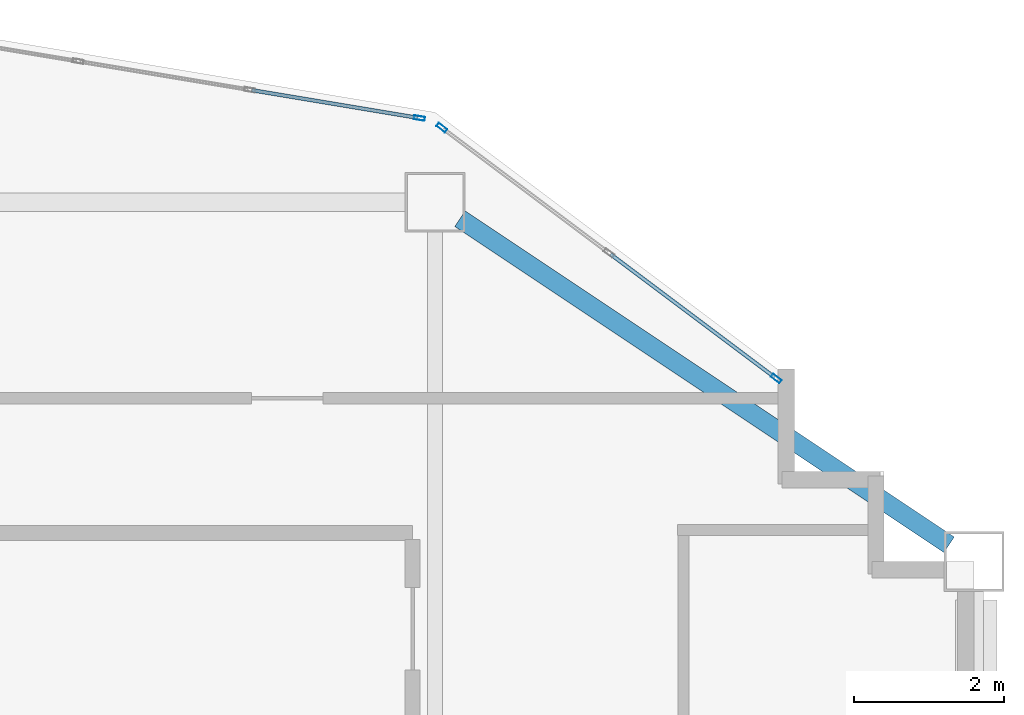
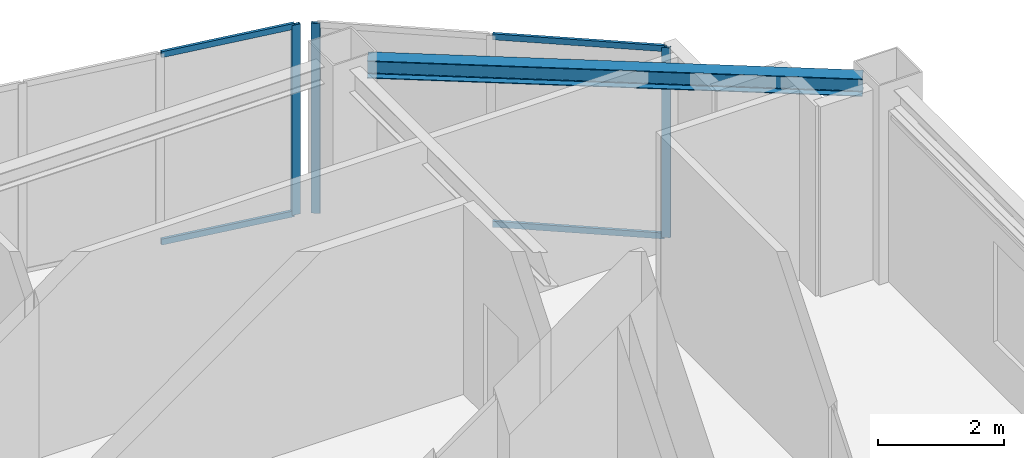
# One storey, part 3 of 9: 7 members, 1 beam, 2 elements without a shape of their own.
"""IFC4 building model written with IfcOpenShell, lengths in metres."""

from ifc_helpers import new_model, si_unit, direction, frame, origin, origin_2d, place, context, subcontext, project, spatial, hollow_rectangle, i_section, extrude, material, layer, layer_set, material_profile, profile_set, type_object, element, aggregate, save


model = new_model("IFC4")

# Units and contexts
model_context = context("Model", 3, precision=1e-05, world=origin(), true_north=direction((0.0, 1.0)))
body_context = subcontext(model_context, "Body", "Model", "MODEL_VIEW")
ifc_project = project(units=[si_unit("LENGTHUNIT", "METRE"), si_unit("AREAUNIT", "SQUARE_METRE"), si_unit("VOLUMEUNIT", "CUBIC_METRE"), si_unit("PLANEANGLEUNIT", "RADIAN"), si_unit("MASSUNIT", "GRAM", prefix="KILO")], contexts=[model_context])

# Site, building, storey
site_placement = place(None, origin())
site = spatial("IfcSite", under=ifc_project, at=site_placement, CompositionType="ELEMENT")
building_placement = place(site_placement, origin())
building = spatial("IfcBuilding", under=site, at=building_placement, Name="Haolan Belvedere Tower", CompositionType="ELEMENT")
storey_placement = place(building_placement, frame((0.0, 0.0, 239.050048828125)))
storey = spatial("IfcBuildingStorey", under=building, at=storey_placement, Name="L60", CompositionType="ELEMENT", Elevation=239.050048828125)

# Beam
ifc_material_1 = material(Name="Steel Q355B", Category="steel")
ifc_material_profile_1 = material_profile(ifc_material_1, i_section(OverallWidth=0.25, OverallDepth=0.340087890625, WebThickness=0.009033203125, FlangeThickness=0.013916015625, FilletRadius=0.02001953125, at=origin_2d()), Name="Steel Q355B")
ifc_profile_set_1 = profile_set([ifc_material_profile_1], Name="Steel Q355B")
beam_type = type_object("IfcBeamType", Name="BM-HM340x250x9x14", PredefinedType="SPANDREL", material=ifc_profile_set_1)
beam_placement = place(storey_placement, frame((45.932861328125, 50.17822265625, 3.5), z_axis=(0.832040729016, -0.55471454394, 0.0), x_axis=(0.55471454394, 0.832040729016, 0.0)))
element("IfcBeam", 1, at=beam_placement, inside=storey, type_object=beam_type, Name="L60 spandrel girder MC-T3-N2-MC-T3-NE", PredefinedType="SPANDREL", context=body_context, shape_type="SweptSolid", body=[
    extrude(i_section(OverallWidth=0.25, OverallDepth=0.340087890625, WebThickness=0.009033203125, FlangeThickness=0.013916015625, FilletRadius=0.02001953125, at=origin_2d()), origin(), (0.0, 0.0, 1.0), 7.853515625),
])

# Curtain wall, members
ifc_material_2 = material(Name="Anodised champagne-silver aluminium 6063-T6 and Low-E glass", Category="aluminium")
ifc_layer = layer(ifc_material_2, 0.14501953125, Name="Anodised champagne-silver aluminium 6063-T6 and Low-E glass")
ifc_layer_set = layer_set([ifc_layer], Name="Anodised champagne-silver aluminium 6063-T6 and Low-E glass")
curtain_wall_type = type_object("IfcCurtainWallType", Name="CW-SYS-05", PredefinedType="NOTDEFINED", material=ifc_layer_set)
curtain_wall_1_placement = place(storey_placement, origin())
curtain_wall_1 = element("IfcCurtainWall", 2, at=curtain_wall_1_placement, inside=storey, type_object=curtain_wall_type, Name="L60 CW-SYS-05 ribbon curtain wall 8.1", PredefinedType="NOTDEFINED")
ifc_material_3 = material(Name="Anodised aluminium 6063-T6", Category="aluminium")
ifc_material_profile_2 = material_profile(ifc_material_3, hollow_rectangle(XDim=0.053955078125, YDim=0.14501953125, WallThickness=0.00390625, at=origin_2d()), Name="Anodised aluminium 6063-T6")
ifc_profile_set_2 = profile_set([ifc_material_profile_2], Name="Anodised aluminium 6063-T6")
member_type_1 = type_object("IfcMemberType", Name="CW-SYS-05-MUL", PredefinedType="MULLION", material=ifc_profile_set_2)
member_1_placement = place(storey_placement, frame((50.156494140625, 48.045166015625, 0.0), z_axis=(0.0, 0.0, 1.0), x_axis=(-0.600002837806, -0.799997871638, 0.0)))
member_1 = element("IfcMember", 3, at=member_1_placement, type_object=member_type_1, Name="CW-05 mullion 1", PredefinedType="MULLION", context=body_context, shape_type="SweptSolid", body=[
    extrude(hollow_rectangle(XDim=0.053955078125, YDim=0.14501953125, WallThickness=0.00390625, at=origin_2d()), origin(), (0.0, 0.0, 1.0), 3.669921875),
])
member_2_placement = place(storey_placement, frame((45.689208984375, 51.395751953125, 0.0), z_axis=(0.0, 0.0, 1.0), x_axis=(-0.600002837806, -0.799997871638, 0.0)))
member_2 = element("IfcMember", 4, at=member_2_placement, type_object=member_type_1, Name="CW-05 mullion 3", PredefinedType="MULLION", context=body_context, shape_type="SweptSolid", body=[
    extrude(hollow_rectangle(XDim=0.053955078125, YDim=0.14501953125, WallThickness=0.00390625, at=origin_2d()), origin(), (0.0, 0.0, 1.0), 3.669921875),
])

# Curtain wall, member
curtain_wall_2_placement = place(storey_placement, origin())
curtain_wall_2 = element("IfcCurtainWall", 5, at=curtain_wall_2_placement, inside=storey, type_object=curtain_wall_type, Name="L60 CW-SYS-05 ribbon curtain wall 9.1", PredefinedType="NOTDEFINED")
member_3_placement = place(storey_placement, frame((45.390869140625, 51.5234375, 0.0), z_axis=(0.0, 0.0, 1.0), x_axis=(-0.164405962825, -0.98639276122, 0.0)))
member_3 = element("IfcMember", 6, at=member_3_placement, type_object=member_type_1, Name="CW-05 mullion 1", PredefinedType="MULLION", context=body_context, shape_type="SweptSolid", body=[
    extrude(hollow_rectangle(XDim=0.053955078125, YDim=0.14501953125, WallThickness=0.00390625, at=origin_2d()), origin(), (0.0, 0.0, 1.0), 3.669921875),
])

# Member
ifc_material_profile_3 = material_profile(ifc_material_3, hollow_rectangle(XDim=0.050048828125, YDim=0.114990234375, WallThickness=0.00390625, at=origin_2d()), Name="Anodised aluminium 6063-T6")
ifc_profile_set_3 = profile_set([ifc_material_profile_3], Name="Anodised aluminium 6063-T6")
member_type_2 = type_object("IfcMemberType", Name="CW-SYS-05-TRN", PredefinedType="USERDEFINED", material=ifc_profile_set_3)
member_4_placement = place(storey_placement, frame((50.134765625, 48.061279296875, 0.02490234375), z_axis=(-0.799957200433, 0.60005706185, 0.0), x_axis=(-0.60005706185, -0.799957200433, 0.0)))
member_4 = element("IfcMember", 7, at=member_4_placement, type_object=member_type_2, Name="CW-05 transom 1.1", ObjectType="TRANSOM", PredefinedType="USERDEFINED", context=body_context, shape_type="SweptSolid", body=[
    extrude(hollow_rectangle(XDim=0.050048828125, YDim=0.114990234375, WallThickness=0.00390625, at=origin_2d()), origin(), (0.0, 0.0, 1.0), 2.73828125),
])

member_5_placement = place(storey_placement, frame((50.134765625, 48.061279296875, 3.64501953125), z_axis=(-0.799957200433, 0.60005706185, 0.0), x_axis=(-0.60005706185, -0.799957200433, 0.0)))
member_5 = element("IfcMember", 8, at=member_5_placement, type_object=member_type_2, Name="CW-05 transom 1.2", ObjectType="TRANSOM", PredefinedType="USERDEFINED", context=body_context, shape_type="SweptSolid", body=[
    extrude(hollow_rectangle(XDim=0.050048828125, YDim=0.114990234375, WallThickness=0.00390625, at=origin_2d()), origin(), (0.0, 0.0, 1.0), 2.73828125),
])

aggregate(curtain_wall_1, [member_1, member_2, member_4, member_5])

member_6_placement = place(storey_placement, frame((45.364013671875, 51.52783203125, 0.02490234375), z_axis=(-0.986390982779, 0.164416632651, 0.0), x_axis=(-0.164416632651, -0.986390982779, 0.0)))
member_6 = element("IfcMember", 9, at=member_6_placement, type_object=member_type_2, Name="CW-05 transom 1.1", ObjectType="TRANSOM", PredefinedType="USERDEFINED", context=body_context, shape_type="SweptSolid", body=[
    extrude(hollow_rectangle(XDim=0.050048828125, YDim=0.114990234375, WallThickness=0.00390625, at=origin_2d()), origin(), (0.0, 0.0, 1.0), 2.24365234375),
])

member_7_placement = place(storey_placement, frame((45.364013671875, 51.52783203125, 3.64501953125), z_axis=(-0.986390982779, 0.164416632651, 0.0), x_axis=(-0.164416632651, -0.986390982779, 0.0)))
member_7 = element("IfcMember", 10, at=member_7_placement, type_object=member_type_2, Name="CW-05 transom 1.2", ObjectType="TRANSOM", PredefinedType="USERDEFINED", context=body_context, shape_type="SweptSolid", body=[
    extrude(hollow_rectangle(XDim=0.050048828125, YDim=0.114990234375, WallThickness=0.00390625, at=origin_2d()), origin(), (0.0, 0.0, 1.0), 2.24365234375),
])

aggregate(curtain_wall_2, [member_3, member_6, member_7])

save(model, "model.ifc")
